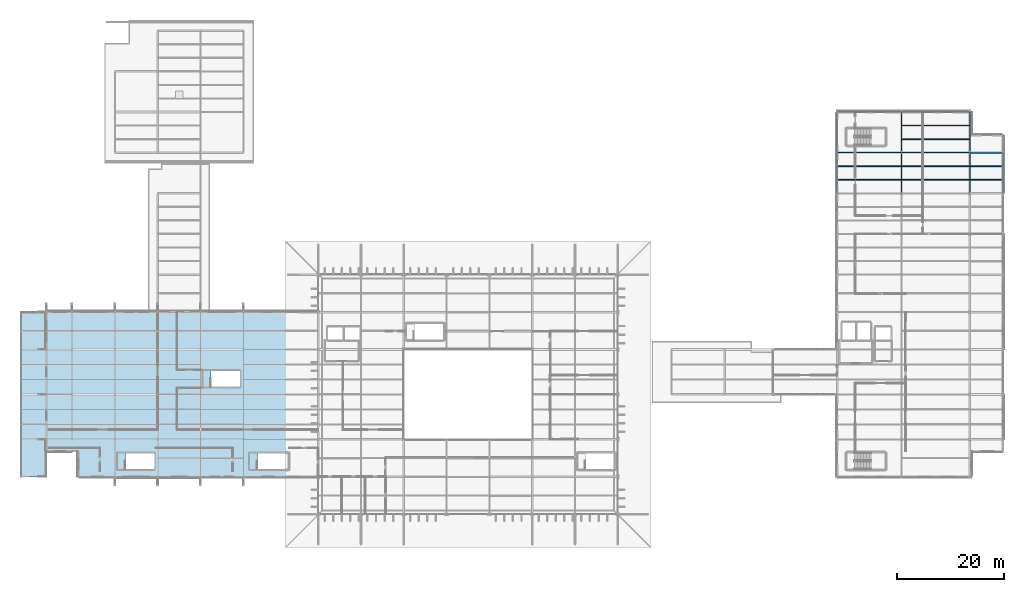
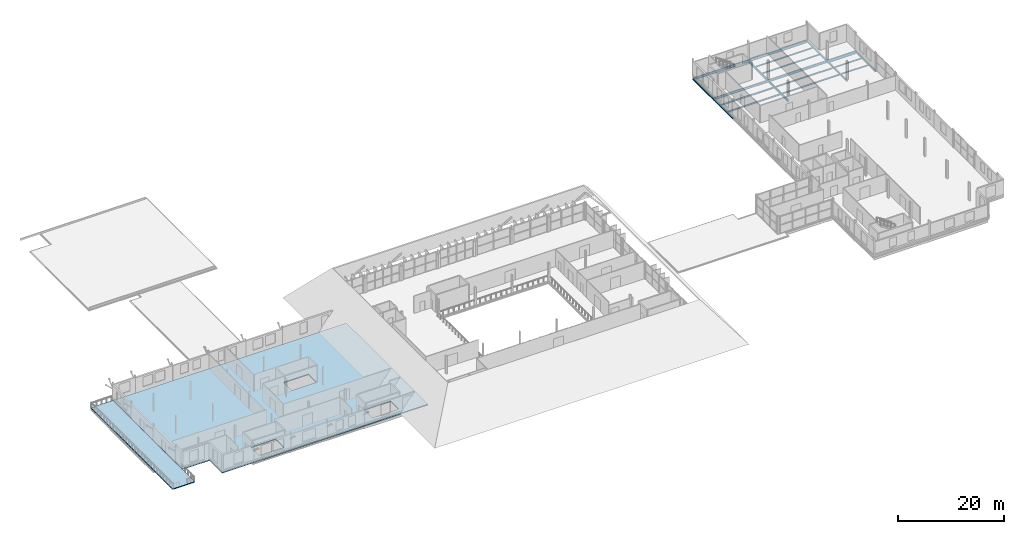
# One storey, part 74 of 93: 20 beams, 2 slabs.
"""IFC4 building model written with IfcOpenShell, lengths in metres."""

from ifc_helpers import new_model, si_unit, direction, frame, origin, origin_2d, place, context, subcontext, project, spatial, polyline, i_section, outline, extrude, material, layer, layer_set, material_profile, profile_set, type_object, element, save


model = new_model("IFC4")

# Units and contexts
model_context = context("Model", 3, precision=1e-05, world=origin(), true_north=direction((0.0, 1.0)))
body_context = subcontext(model_context, "Body", "Model", "MODEL_VIEW")
ifc_project = project(units=[si_unit("LENGTHUNIT", "METRE"), si_unit("AREAUNIT", "SQUARE_METRE"), si_unit("VOLUMEUNIT", "CUBIC_METRE"), si_unit("PLANEANGLEUNIT", "RADIAN"), si_unit("MASSUNIT", "GRAM", prefix="KILO")], contexts=[model_context])

# Site, building, storey
site_placement = place(None, origin())
site = spatial("IfcSite", under=ifc_project, at=site_placement, CompositionType="ELEMENT")
building_placement = place(site_placement, origin())
building = spatial("IfcBuilding", under=site, at=building_placement, Name="Vekula Escarpment Museum", CompositionType="ELEMENT")
storey_placement = place(building_placement, frame((0.0, 0.0, 22.199951171875)))
storey = spatial("IfcBuildingStorey", under=building, at=storey_placement, Name="L05", CompositionType="ELEMENT", Elevation=22.199951171875)

# Beams
ifc_material_1 = material(Name="Steel S355", Category="steel")
ifc_material_profile_1 = material_profile(ifc_material_1, i_section(OverallWidth=0.300048828125, OverallDepth=0.64990234375, WebThickness=0.01611328125, FlangeThickness=0.031005859375, FilletRadius=0.027099609375, at=origin_2d()), Name="HEB 650")
ifc_profile_set_1 = profile_set([ifc_material_profile_1], Name="Steel S355")
beam_type_1 = type_object("IfcBeamType", Name="BM-GIRD-HEB650", PredefinedType="BEAM", material=ifc_profile_set_1)
beam_1_placement = place(storey_placement, frame((191.800048828125, 113.199951171875, -0.574951171875), z_axis=(1.0, 0.0, 0.0), x_axis=(0.0, 1.0, 0.0)))
element("IfcBeam", 1, at=beam_1_placement, inside=storey, type_object=beam_type_1, Name="Beam X L05 2068", PredefinedType="BEAM", context=body_context, shape_type="SweptSolid", body=[
    extrude(i_section(OverallWidth=0.300048828125, OverallDepth=0.64990234375, WebThickness=0.01611328125, FlangeThickness=0.031005859375, FilletRadius=0.027099609375, at=origin_2d()), origin(), (0.0, 0.0, 1.0), 6.199951171875),
])
ifc_material_2 = material(Name="Steel S355", Category="steel")
ifc_material_profile_2 = material_profile(ifc_material_2, i_section(OverallWidth=0.199951171875, OverallDepth=0.5, WebThickness=0.01025390625, FlangeThickness=0.01611328125, FilletRadius=0.02099609375, at=origin_2d()), Name="IPE 500")
ifc_profile_set_2 = profile_set([ifc_material_profile_2], Name="Steel S355")
beam_type_2 = type_object("IfcBeamType", Name="BM-GIRD-IPE500", PredefinedType="BEAM", material=ifc_profile_set_2)
beam_2_placement = place(storey_placement, frame((179.0, 105.60009765625, -0.5), z_axis=(0.0, 1.0, 0.0), x_axis=(-1.0, 0.0, 0.0)))
element("IfcBeam", 2, at=beam_2_placement, inside=storey, type_object=beam_type_2, Name="Beam Y L05 2173", PredefinedType="BEAM", context=body_context, shape_type="SweptSolid", body=[
    extrude(i_section(OverallWidth=0.199951171875, OverallDepth=0.5, WebThickness=0.01025390625, FlangeThickness=0.01611328125, FilletRadius=0.02099609375, at=origin_2d()), origin(), (0.0, 0.0, 1.0), 7.599853515625),
])
beam_3_placement = place(storey_placement, frame((179.0, 113.199951171875, -0.5), z_axis=(0.0, 1.0, 0.0), x_axis=(-1.0, 0.0, 0.0)))
element("IfcBeam", 3, at=beam_3_placement, inside=storey, type_object=beam_type_2, Name="Beam Y L05 2174", PredefinedType="BEAM", context=body_context, shape_type="SweptSolid", body=[
    extrude(i_section(OverallWidth=0.199951171875, OverallDepth=0.5, WebThickness=0.01025390625, FlangeThickness=0.01611328125, FilletRadius=0.02099609375, at=origin_2d()), origin(), (0.0, 0.0, 1.0), 7.60009765625),
])
ifc_material_3 = material(Name="Steel S355", Category="steel")
ifc_material_profile_3 = material_profile(ifc_material_3, i_section(OverallWidth=0.2099609375, OverallDepth=0.550048828125, WebThickness=0.010986328125, FlangeThickness=0.01708984375, FilletRadius=0.02392578125, at=origin_2d()), Name="IPE 550")
ifc_profile_set_3 = profile_set([ifc_material_profile_3], Name="Steel S355")
beam_type_3 = type_object("IfcBeamType", Name="BM-GIRD-IPE550", PredefinedType="BEAM", material=ifc_profile_set_3)
beam_4_placement = place(storey_placement, frame((167.0, 113.199951171875, -0.52490234375), z_axis=(1.0, 0.0, 0.0), x_axis=(0.0, 1.0, 0.0)))
element("IfcBeam", 4, at=beam_4_placement, inside=storey, type_object=beam_type_3, Name="Beam X L05 2066", PredefinedType="BEAM", context=body_context, shape_type="SweptSolid", body=[
    extrude(i_section(OverallWidth=0.2099609375, OverallDepth=0.550048828125, WebThickness=0.010986328125, FlangeThickness=0.01708984375, FilletRadius=0.02392578125, at=origin_2d()), origin(), (0.0, 0.0, 1.0), 12.0),
])
beam_5_placement = place(storey_placement, frame((179.0, 113.199951171875, -0.52490234375), z_axis=(1.0, 0.0, 0.0), x_axis=(0.0, 1.0, 0.0)))
element("IfcBeam", 5, at=beam_5_placement, inside=storey, type_object=beam_type_3, Name="Beam X L05 2067", PredefinedType="BEAM", context=body_context, shape_type="SweptSolid", body=[
    extrude(i_section(OverallWidth=0.2099609375, OverallDepth=0.550048828125, WebThickness=0.010986328125, FlangeThickness=0.01708984375, FilletRadius=0.02392578125, at=origin_2d()), origin(), (0.0, 0.0, 1.0), 12.800048828125),
])
beam_6_placement = place(storey_placement, frame((167.0, 120.800048828125, -0.52490234375), z_axis=(1.0, 0.0, 0.0), x_axis=(0.0, 1.0, 0.0)))
element("IfcBeam", 6, at=beam_6_placement, inside=storey, type_object=beam_type_3, Name="Beam X L05 2072", PredefinedType="BEAM", context=body_context, shape_type="SweptSolid", body=[
    extrude(i_section(OverallWidth=0.2099609375, OverallDepth=0.550048828125, WebThickness=0.010986328125, FlangeThickness=0.01708984375, FilletRadius=0.02392578125, at=origin_2d()), origin(), (0.0, 0.0, 1.0), 12.0),
])
beam_7_placement = place(storey_placement, frame((179.0, 120.800048828125, -0.52490234375), z_axis=(1.0, 0.0, 0.0), x_axis=(0.0, 1.0, 0.0)))
element("IfcBeam", 7, at=beam_7_placement, inside=storey, type_object=beam_type_3, Name="Beam X L05 2073", PredefinedType="BEAM", context=body_context, shape_type="SweptSolid", body=[
    extrude(i_section(OverallWidth=0.2099609375, OverallDepth=0.550048828125, WebThickness=0.010986328125, FlangeThickness=0.01708984375, FilletRadius=0.02392578125, at=origin_2d()), origin(), (0.0, 0.0, 1.0), 12.800048828125),
])
ifc_material_4 = material(Name="Steel S355", Category="steel")
ifc_material_profile_4 = material_profile(ifc_material_4, i_section(OverallWidth=0.14990234375, OverallDepth=0.300048828125, WebThickness=0.007080078125, FlangeThickness=0.0107421875, FilletRadius=0.014892578125, at=origin_2d()), Name="IPE 300")
ifc_profile_set_4 = profile_set([ifc_material_profile_4], Name="Steel S355")
beam_type_4 = type_object("IfcBeamType", Name="BM-JST-IPE300", PredefinedType="JOIST", material=ifc_profile_set_4)
for number, where, z_axis, x_axis, name in (
    (8, (179.090087890625, 115.7333984375, -0.39990234375), (1.0, 0.0, 0.0), (0.0, 1.0, 0.0), "Secondary Joist L05 1411"),
    (9, (179.090087890625, 118.2666015625, -0.39990234375), (1.0, 0.0, 0.0), (0.0, 1.0, 0.0), "Secondary Joist L05 1412"),
):
    element("IfcBeam", number, at=place(storey_placement, frame(where, z_axis=z_axis, x_axis=x_axis)), inside=storey, type_object=beam_type_4, Name=name, PredefinedType="JOIST", context=body_context, shape_type="SweptSolid", body=[
        extrude(i_section(OverallWidth=0.14990234375, OverallDepth=0.300048828125, WebThickness=0.007080078125, FlangeThickness=0.0107421875, FilletRadius=0.014892578125, at=origin_2d()), origin(), (0.0, 0.0, 1.0), 12.619873046875),
    ])
for number, where, z_axis, x_axis, name in (
    (10, (191.889892578125, 108.13330078125, -0.39990234375), (1.0, 0.0, 0.0), (0.0, 1.0, 0.0), "Secondary Joist L05 1423"),
    (11, (191.889892578125, 110.666748046875, -0.39990234375), (1.0, 0.0, 0.0), (0.0, 1.0, 0.0), "Secondary Joist L05 1424"),
):
    element("IfcBeam", number, at=place(storey_placement, frame(where, z_axis=z_axis, x_axis=x_axis)), inside=storey, type_object=beam_type_4, Name=name, PredefinedType="JOIST", context=body_context, shape_type="SweptSolid", body=[
        extrude(i_section(OverallWidth=0.14990234375, OverallDepth=0.300048828125, WebThickness=0.007080078125, FlangeThickness=0.0107421875, FilletRadius=0.014892578125, at=origin_2d()), origin(), (0.0, 0.0, 1.0), 6.02001953125),
    ])
ifc_material_5 = material(Name="Steel S355", Category="steel")
ifc_material_profile_5 = material_profile(ifc_material_5, i_section(OverallWidth=0.159912109375, OverallDepth=0.330078125, WebThickness=0.007568359375, FlangeThickness=0.011474609375, FilletRadius=0.01806640625, at=origin_2d()), Name="IPE 330")
ifc_profile_set_5 = profile_set([ifc_material_profile_5], Name="Steel S355")
beam_type_5 = type_object("IfcBeamType", Name="BM-JST-IPE330", PredefinedType="JOIST", material=ifc_profile_set_5)
for number, where, z_axis, x_axis, name in (
    (12, (179.090087890625, 108.13330078125, -0.4150390625), (1.0, 0.0, 0.0), (0.0, 1.0, 0.0), "Secondary Joist L05 1409"),
    (13, (179.090087890625, 110.666748046875, -0.4150390625), (1.0, 0.0, 0.0), (0.0, 1.0, 0.0), "Secondary Joist L05 1410"),
):
    element("IfcBeam", number, at=place(storey_placement, frame(where, z_axis=z_axis, x_axis=x_axis)), inside=storey, type_object=beam_type_5, Name=name, PredefinedType="JOIST", context=body_context, shape_type="SweptSolid", body=[
        extrude(i_section(OverallWidth=0.159912109375, OverallDepth=0.330078125, WebThickness=0.007568359375, FlangeThickness=0.011474609375, FilletRadius=0.01806640625, at=origin_2d()), origin(), (0.0, 0.0, 1.0), 12.619873046875),
    ])
ifc_material_6 = material(Name="Steel S355", Category="steel")
ifc_material_profile_6 = material_profile(ifc_material_6, i_section(OverallWidth=0.169921875, OverallDepth=0.360107421875, WebThickness=0.008056640625, FlangeThickness=0.0126953125, FilletRadius=0.01806640625, at=origin_2d()), Name="IPE 360")
ifc_profile_set_6 = profile_set([ifc_material_profile_6], Name="Steel S355")
beam_type_6 = type_object("IfcBeamType", Name="BM-JST-IPE360", PredefinedType="JOIST", material=ifc_profile_set_6)
for number, where, z_axis, x_axis, name in (
    (14, (167.090087890625, 108.13330078125, -0.429931640625), (1.0, 0.0, 0.0), (0.0, 1.0, 0.0), "Secondary Joist L05 1396"),
    (15, (167.090087890625, 110.666748046875, -0.429931640625), (1.0, 0.0, 0.0), (0.0, 1.0, 0.0), "Secondary Joist L05 1397"),
):
    element("IfcBeam", number, at=place(storey_placement, frame(where, z_axis=z_axis, x_axis=x_axis)), inside=storey, type_object=beam_type_6, Name=name, PredefinedType="JOIST", context=body_context, shape_type="SweptSolid", body=[
        extrude(i_section(OverallWidth=0.169921875, OverallDepth=0.360107421875, WebThickness=0.008056640625, FlangeThickness=0.0126953125, FilletRadius=0.01806640625, at=origin_2d()), origin(), (0.0, 0.0, 1.0), 11.81982421875),
    ])
ifc_material_7 = material(Name="Steel S355", Category="steel")
ifc_material_profile_7 = material_profile(ifc_material_7, i_section(OverallWidth=0.300048828125, OverallDepth=0.2900390625, WebThickness=0.008544921875, FlangeThickness=0.013916015625, FilletRadius=0.027099609375, at=origin_2d()), Name="HEA 300")
ifc_profile_set_7 = profile_set([ifc_material_profile_7], Name="Steel S355")
beam_type_7 = type_object("IfcBeamType", Name="BM-SPAN-HEA300", PredefinedType="SPANDREL", material=ifc_profile_set_7)
beam_8_placement = place(storey_placement, frame((167.0, 105.60009765625, -0.39501953125), z_axis=(0.0, 1.0, 0.0), x_axis=(-1.0, 0.0, 0.0)))
element("IfcBeam", 16, at=beam_8_placement, inside=storey, type_object=beam_type_7, Name="Beam Y L05 2164", PredefinedType="SPANDREL", context=body_context, shape_type="SweptSolid", body=[
    extrude(i_section(OverallWidth=0.300048828125, OverallDepth=0.2900390625, WebThickness=0.008544921875, FlangeThickness=0.013916015625, FilletRadius=0.027099609375, at=origin_2d()), origin(), (0.0, 0.0, 1.0), 7.599853515625),
])
beam_9_placement = place(storey_placement, frame((167.0, 113.199951171875, -0.39501953125), z_axis=(0.0, 1.0, 0.0), x_axis=(-1.0, 0.0, 0.0)))
element("IfcBeam", 17, at=beam_9_placement, inside=storey, type_object=beam_type_7, Name="Beam Y L05 2165", PredefinedType="SPANDREL", context=body_context, shape_type="SweptSolid", body=[
    extrude(i_section(OverallWidth=0.300048828125, OverallDepth=0.2900390625, WebThickness=0.008544921875, FlangeThickness=0.013916015625, FilletRadius=0.027099609375, at=origin_2d()), origin(), (0.0, 0.0, 1.0), 7.60009765625),
])
beam_10_placement = place(storey_placement, frame((191.800048828125, 105.60009765625, -0.39501953125), z_axis=(0.0, 1.0, 0.0), x_axis=(-1.0, 0.0, 0.0)))
element("IfcBeam", 18, at=beam_10_placement, inside=storey, type_object=beam_type_7, Name="Beam Y L05 2182", PredefinedType="SPANDREL", context=body_context, shape_type="SweptSolid", body=[
    extrude(i_section(OverallWidth=0.300048828125, OverallDepth=0.2900390625, WebThickness=0.008544921875, FlangeThickness=0.013916015625, FilletRadius=0.027099609375, at=origin_2d()), origin(), (0.0, 0.0, 1.0), 7.599853515625),
])
beam_11_placement = place(storey_placement, frame((191.800048828125, 113.199951171875, -0.39501953125), z_axis=(0.0, 1.0, 0.0), x_axis=(-1.0, 0.0, 0.0)))
element("IfcBeam", 19, at=beam_11_placement, inside=storey, type_object=beam_type_7, Name="Beam Y L05 2183", PredefinedType="SPANDREL", context=body_context, shape_type="SweptSolid", body=[
    extrude(i_section(OverallWidth=0.300048828125, OverallDepth=0.2900390625, WebThickness=0.008544921875, FlangeThickness=0.013916015625, FilletRadius=0.027099609375, at=origin_2d()), origin(), (0.0, 0.0, 1.0), 7.60009765625),
])
beam_12_placement = place(storey_placement, frame((198.0, 105.60009765625, -0.39501953125), z_axis=(0.0, 1.0, 0.0), x_axis=(-1.0, 0.0, 0.0)))
element("IfcBeam", 20, at=beam_12_placement, inside=storey, type_object=beam_type_7, Name="Beam Y L05 2190", PredefinedType="SPANDREL", context=body_context, shape_type="SweptSolid", body=[
    extrude(i_section(OverallWidth=0.300048828125, OverallDepth=0.2900390625, WebThickness=0.008544921875, FlangeThickness=0.013916015625, FilletRadius=0.027099609375, at=origin_2d()), origin(), (0.0, 0.0, 1.0), 7.599853515625),
])

# Slabs
ifc_material_8 = material(Name="Concrete C35/45", Category="concrete")
ifc_layer_1 = layer(ifc_material_8, 0.219970703125)
ifc_layer_set_1 = layer_set([ifc_layer_1], Name="Concrete C35/45")
slab_type_1 = type_object("IfcSlabType", Name="SL-FLR-220", PredefinedType="FLOOR", material=ifc_layer_set_1)
slab_1_placement = place(storey_placement, frame((0.0, 0.0, -0.219970703125)))
element("IfcSlab", 21, at=slab_1_placement, inside=storey, type_object=slab_type_1, Name="Floor Slab W-L05-V2-W", PredefinedType="FLOOR", context=body_context, shape_type="SweptSolid", body=[
    extrude(outline(polyline([(25.199951171875, 52.60009765625), (70.0, 52.60009765625), (70.0, 83.39990234375), (19.199951171875, 83.39990234375), (19.199951171875, 57.39990234375), (25.199951171875, 57.39990234375), (25.199951171875, 52.60009765625)]), holes=[polyline([(58.679931640625, 54.0), (64.39990234375, 54.0), (64.39990234375, 57.0400390625), (58.679931640625, 57.0400390625), (58.679931640625, 54.0)]), polyline([(33.97998046875, 54.0), (39.39990234375, 54.0), (39.39990234375, 57.0400390625), (33.97998046875, 57.0400390625), (33.97998046875, 54.0)]), polyline([(49.97998046875, 69.39990234375), (55.39990234375, 69.39990234375), (55.39990234375, 72.43994140625), (49.97998046875, 72.43994140625), (49.97998046875, 69.39990234375)])]), origin(), (0.0, 0.0, 1.0), 0.219970703125),
])
ifc_material_9 = material(Name="Precast concrete C40/50", Category="concrete")
ifc_layer_2 = layer(ifc_material_9, 0.199951171875)
ifc_layer_set_2 = layer_set([ifc_layer_2], Name="Precast concrete C40/50")
slab_type_2 = type_object("IfcSlabType", Name="SL-TER-200", PredefinedType="FLOOR", material=ifc_layer_set_2)
slab_2_placement = place(storey_placement, frame((0.0, 0.0, -0.199951171875)))
element("IfcSlab", 22, at=slab_2_placement, inside=storey, type_object=slab_type_2, Name="Walkable Terrace Slab T-L05-STEP4", PredefinedType="FLOOR", context=body_context, shape_type="SweptSolid", body=[
    extrude(outline(polyline([(14.39990234375, 52.56005859375), (19.179931640625, 52.56005859375), (19.179931640625, 83.39990234375), (14.39990234375, 83.39990234375), (14.39990234375, 52.56005859375)])), origin(), (0.0, 0.0, 1.0), 0.199951171875),
])

save(model, "model.ifc")
